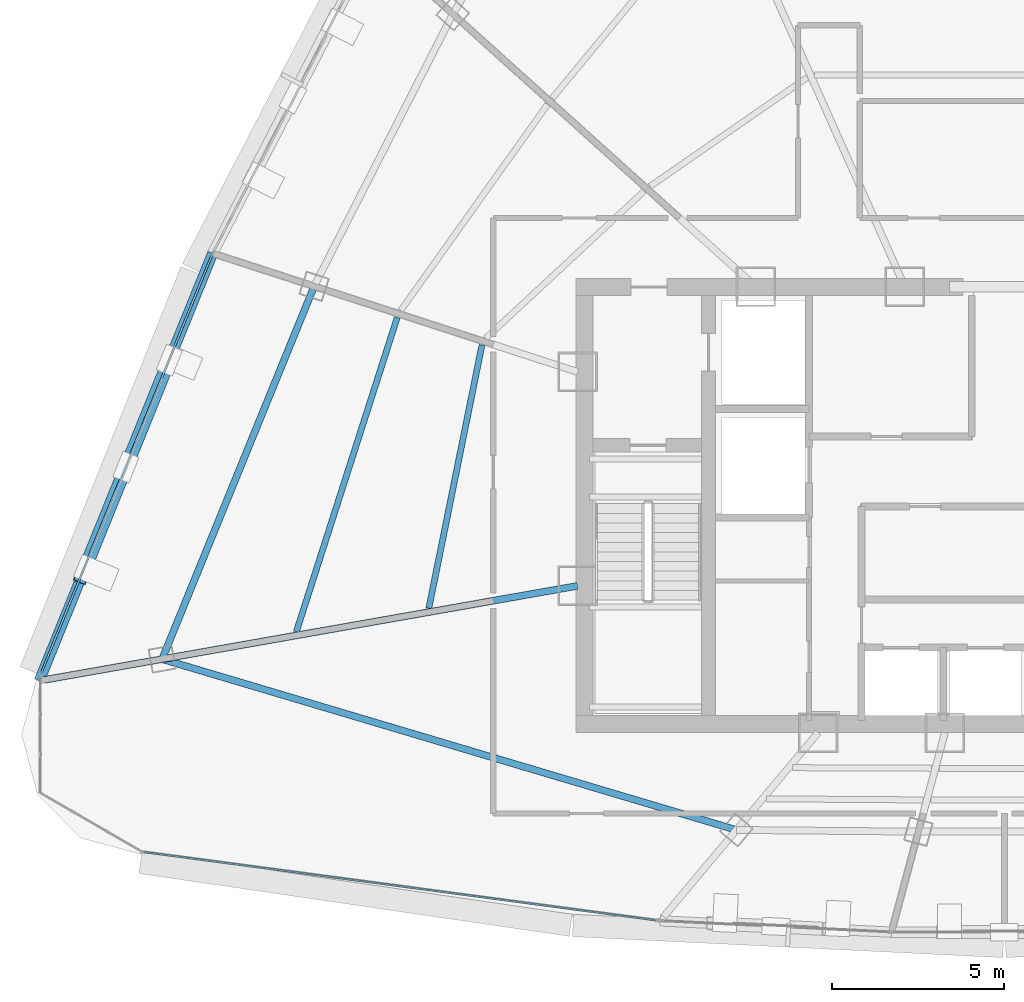
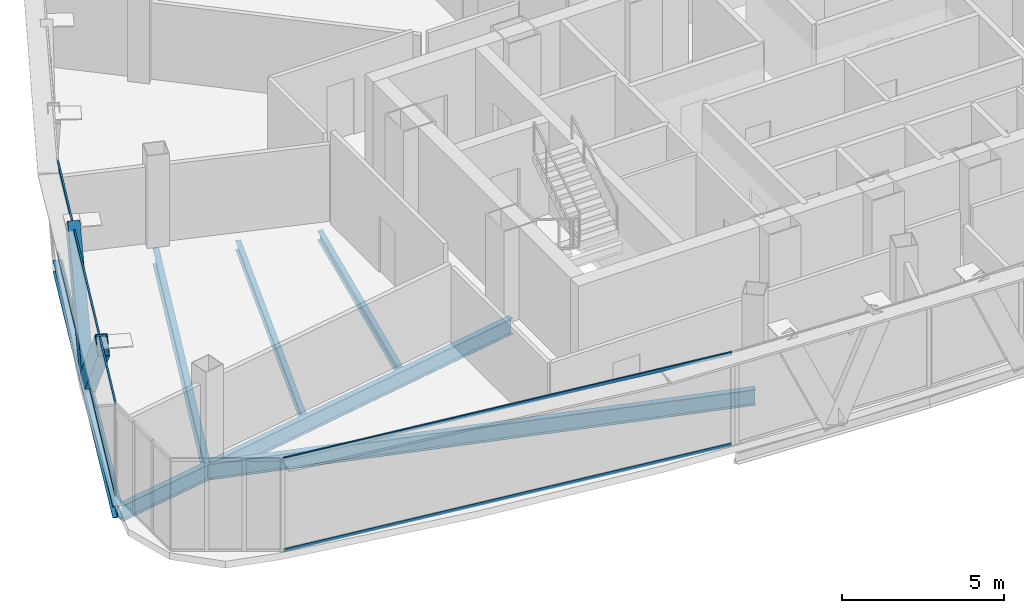
# One storey, part 3 of 27: 6 beams, 6 members, 2 elements without a shape of their own.
"""IFC4 building model written with IfcOpenShell, lengths in metres."""

from ifc_helpers import new_model, si_unit, direction, frame, origin, origin_2d, place, context, subcontext, project, spatial, hollow_rectangle, i_section, extrude, source, transform, mapped, material, layer, layer_set, material_profile, profile_set, type_object, element, aggregate, save


model = new_model("IFC4")

# Units and contexts
model_context = context("Model", 3, precision=1e-05, world=origin(), true_north=direction((0.0, 1.0)))
body_context = subcontext(model_context, "Body", "Model", "MODEL_VIEW")
ifc_project = project(units=[si_unit("LENGTHUNIT", "METRE"), si_unit("AREAUNIT", "SQUARE_METRE"), si_unit("VOLUMEUNIT", "CUBIC_METRE"), si_unit("PLANEANGLEUNIT", "RADIAN"), si_unit("MASSUNIT", "GRAM", prefix="KILO"), si_unit("THERMODYNAMICTEMPERATUREUNIT", "KELVIN"), si_unit("POWERUNIT", "WATT")], contexts=[model_context])

# Site, building, storey
site_placement = place(None, origin())
site = spatial("IfcSite", under=ifc_project, at=site_placement, CompositionType="ELEMENT")
building_placement = place(site_placement, origin())
building = spatial("IfcBuilding", under=site, at=building_placement, Name="Yunzhuo Pagoda Commons", CompositionType="ELEMENT")
storey_placement = place(building_placement, frame((0.0, 0.0, 344.260009765625)))
storey = spatial("IfcBuildingStorey", under=building, at=storey_placement, Name="L86", CompositionType="ELEMENT", Elevation=344.260009765625)

# Beams
ifc_material_1 = material(Name="Structural steel Q355B", Category="steel")
ifc_material_profile_1 = material_profile(ifc_material_1, i_section(OverallWidth=0.199951171875, OverallDepth=0.60009765625, WebThickness=0.010986328125, FlangeThickness=0.01708984375, at=origin_2d()), Name="Structural steel Q355B")
ifc_profile_set_1 = profile_set([ifc_material_profile_1], Name="Structural steel Q355B")
beam_type_1 = type_object("IfcBeamType", Name="B-RG3 Beam HN 600x200x11x17", PredefinedType="BEAM", material=ifc_profile_set_1)
shared_shape_1 = source(origin(), body_context, "Body", "SweptSolid", [
    extrude(i_section(OverallWidth=0.199951171875, OverallDepth=0.60009765625, WebThickness=0.010986328125, FlangeThickness=0.01708984375, at=origin_2d()), origin(), (0.0, 0.0, 1.0), 17.407470703125),
])
beam_1_placement = place(storey_placement, frame((23.52978515625, 29.38525390625, -0.56005859375), z_axis=(0.958484984609, -0.285143006717, 0.0), x_axis=(0.285143006717, 0.958484984609, 0.0)))
element("IfcBeam", 1, at=beam_1_placement, inside=storey, type_object=beam_type_1, Name="L86 column-ring beam 12", PredefinedType="BEAM", context=body_context, shape_type="MappedRepresentation", body=[
    mapped(shared_shape_1, transform((0.0, 0.0, 0.0), scale=1.0)),
])
shared_shape_2 = source(origin(), body_context, "Body", "SweptSolid", [
    extrude(i_section(OverallWidth=0.199951171875, OverallDepth=0.60009765625, WebThickness=0.010986328125, FlangeThickness=0.01708984375, at=origin_2d()), origin(), (0.0, 0.0, 1.0), 11.696533203125),
])
beam_2_placement = place(storey_placement, frame((27.946533203125, 40.2158203125, -0.56005859375), z_axis=(-0.377611800863, -0.925963999219, 0.0), x_axis=(0.925963999219, -0.377611800863, 0.0)))
element("IfcBeam", 2, at=beam_2_placement, inside=storey, type_object=beam_type_1, Name="L86 column-ring beam 11", PredefinedType="BEAM", context=body_context, shape_type="MappedRepresentation", body=[
    mapped(shared_shape_2, transform((0.0, 0.0, 0.0), scale=1.0)),
])
ifc_material_profile_2 = material_profile(ifc_material_1, i_section(OverallWidth=0.175048828125, OverallDepth=0.35009765625, WebThickness=0.007080078125, FlangeThickness=0.010986328125, at=origin_2d()), Name="Structural steel Q355B")
ifc_profile_set_2 = profile_set([ifc_material_profile_2], Name="Structural steel Q355B")
beam_type_2 = type_object("IfcBeamType", Name="B-JS2 Joist HN 350x175x7x11", PredefinedType="JOIST", material=ifc_profile_set_2)
shared_shape_3 = source(origin(), body_context, "Body", "SweptSolid", [
    extrude(i_section(OverallWidth=0.175048828125, OverallDepth=0.35009765625, WebThickness=0.007080078125, FlangeThickness=0.010986328125, at=origin_2d()), origin(), (0.0, 0.0, 1.0), 7.8056640625),
])
beam_3_placement = place(storey_placement, frame((32.822265625, 38.511474609375, -0.43505859375), z_axis=(-0.197890187791, -0.980224195568, 0.0), x_axis=(0.980224195568, -0.197890187791, 0.0)))
element("IfcBeam", 3, at=beam_3_placement, inside=storey, type_object=beam_type_2, Name="L86 composite ring joist 1.11", PredefinedType="JOIST", context=body_context, shape_type="MappedRepresentation", body=[
    mapped(shared_shape_3, transform((0.0, 0.0, 0.0), scale=1.0)),
])
shared_shape_4 = source(origin(), body_context, "Body", "SweptSolid", [
    extrude(i_section(OverallWidth=0.175048828125, OverallDepth=0.35009765625, WebThickness=0.007080078125, FlangeThickness=0.010986328125, at=origin_2d()), origin(), (0.0, 0.0, 1.0), 9.593994140625),
])
beam_4_placement = place(storey_placement, frame((30.360595703125, 39.310546875, -0.43505859375), z_axis=(-0.305719218499, -0.952121714614, 0.0), x_axis=(0.952121714614, -0.305719218499, 0.0)))
element("IfcBeam", 4, at=beam_4_placement, inside=storey, type_object=beam_type_2, Name="L86 composite ring joist 2.11", PredefinedType="JOIST", context=body_context, shape_type="MappedRepresentation", body=[
    mapped(shared_shape_4, transform((0.0, 0.0, 0.0), scale=1.0)),
])
shared_shape_5 = source(origin(), body_context, "Body", "SweptSolid", [
    extrude(i_section(OverallWidth=0.199951171875, OverallDepth=0.60009765625, WebThickness=0.010986328125, FlangeThickness=0.01708984375, at=origin_2d()), origin(), (0.0, 0.0, 1.0), 15.72412109375),
])
beam_5_placement = place(storey_placement, frame((20.11474609375, 28.783203125, -0.56005859375), z_axis=(0.984810587899, 0.173632099459, 0.0), x_axis=(-0.173632099459, 0.984810587899, 0.0)))
element("IfcBeam", 5, at=beam_5_placement, inside=storey, type_object=beam_type_1, Name="L86 radial floor girder F3C4", PredefinedType="BEAM", context=body_context, shape_type="MappedRepresentation", body=[
    mapped(shared_shape_5, transform((0.0, 0.0, 0.0), scale=1.0)),
])
ifc_material_profile_3 = material_profile(ifc_material_1, i_section(OverallWidth=0.300048828125, OverallDepth=0.43994140625, WebThickness=0.010986328125, FlangeThickness=0.01806640625, at=origin_2d()), Name="Structural steel Q355B")
ifc_profile_set_3 = profile_set([ifc_material_profile_3], Name="Structural steel Q355B")
beam_type_3 = type_object("IfcBeamType", Name="B-SP2 Beam HM 440x300x11x18", PredefinedType="BEAM", material=ifc_profile_set_3)
shared_shape_6 = source(origin(), body_context, "Body", "SweptSolid", [
    extrude(i_section(OverallWidth=0.300048828125, OverallDepth=0.43994140625, WebThickness=0.010986328125, FlangeThickness=0.01806640625, at=origin_2d()), origin(), (0.0, 0.0, 1.0), 13.399658203125),
])
beam_6_placement = place(storey_placement, frame((24.9970703125, 41.174072265625, -0.47998046875), z_axis=(-0.3757655854, -0.926714748361, 0.0), x_axis=(0.926714748361, -0.3757655854, 0.0)))
element("IfcBeam", 6, at=beam_6_placement, inside=storey, type_object=beam_type_3, Name="L86 facade edge spandrel beam F3.3", PredefinedType="BEAM", context=body_context, shape_type="MappedRepresentation", body=[
    mapped(shared_shape_6, transform((0.0, 0.0, 0.0), scale=1.0)),
])

# Members
ifc_material_profile_4 = material_profile(ifc_material_1, hollow_rectangle(XDim=0.3798828125, YDim=0.719970703125, WallThickness=0.02001953125, at=origin_2d()), Name="Structural steel Q355B")
ifc_profile_set_4 = profile_set([ifc_material_profile_4], Name="Structural steel Q355B")
member_type_1 = type_object("IfcMemberType", Name="M-DL3 Brace BOX 720x380x20", PredefinedType="BRACE", material=ifc_profile_set_4)
shared_shape_7 = source(origin(), body_context, "Body", "SweptSolid", [
    extrude(hollow_rectangle(XDim=0.3798828125, YDim=0.719970703125, WallThickness=0.02001953125, at=origin_2d()), origin(), (0.0, 0.0, 1.0), 5.0283203125),
])
for number, where, z_axis, x_axis, name in (
    (7, (22.4794921875, 34.965087890625, -0.260009765625), (0.250335334851, 0.617390247859, 0.745762362937), (-0.92671732093, 0.375759240855, 0.0), "L86 facade diamond brace F3.3L"),
    (8, (22.4794921875, 34.965087890625, -0.260009765625), (-0.250335334851, -0.617390247859, 0.745762362937), (0.92671732093, -0.375759240855, 0.0), "L86 facade diamond brace F3.3R"),
):
    element("IfcMember", number, at=place(storey_placement, frame(where, z_axis=z_axis, x_axis=x_axis)), inside=storey, type_object=member_type_1, Name=name, PredefinedType="BRACE", context=body_context, shape_type="MappedRepresentation", body=[
        mapped(shared_shape_7, transform((0.0, 0.0, 0.0), scale=1.0)),
    ])

# Curtain wall, members
ifc_material_2 = material(Name="Anodized aluminium 6063-T6", Category="aluminium")
ifc_layer = layer(ifc_material_2, 0.139892578125)
ifc_layer_set = layer_set([ifc_layer], Name="Anodized aluminium 6063-T6")
curtain_wall_type = type_object("IfcCurtainWallType", Name="CW-HI High-Zone Ribbon Curtain Wall", PredefinedType="NOTDEFINED", material=ifc_layer_set)
curtain_wall_1_placement = place(storey_placement, origin())
curtain_wall_1 = element("IfcCurtainWall", 9, at=curtain_wall_1_placement, inside=storey, type_object=curtain_wall_type, Name="L86 curtain wall CW-L86-F1B1", PredefinedType="NOTDEFINED")
ifc_material_profile_5 = material_profile(ifc_material_2, hollow_rectangle(XDim=0.054931640625, YDim=0.1201171875, WallThickness=0.00341796875, at=origin_2d()), Name="Anodized aluminium 6063-T6")
ifc_profile_set_5 = profile_set([ifc_material_profile_5], Name="Anodized aluminium 6063-T6")
member_type_2 = type_object("IfcMemberType", Name="CW-HI-T Transom RHS 120x55x3.5", PredefinedType="USERDEFINED", material=ifc_profile_set_5)
shared_shape_8 = source(origin(), body_context, "Body", "SweptSolid", [
    extrude(hollow_rectangle(XDim=0.054931640625, YDim=0.1201171875, WallThickness=0.00341796875, at=origin_2d()), origin(), (0.0, 0.0, 1.0), 14.9833984375),
])
member_1_placement = place(storey_placement, frame((23.01318359375, 23.778076171875, 0.027587890625), z_axis=(0.9912411303, -0.132064460024, 0.0), x_axis=(0.132064460024, 0.9912411303, 0.0)))
member_1 = element("IfcMember", 10, at=member_1_placement, type_object=member_type_2, Name="CW transom 1.1", ObjectType="TRANSOM", PredefinedType="USERDEFINED", context=body_context, shape_type="MappedRepresentation", body=[
    mapped(shared_shape_8, transform((0.0, 0.0, 0.0), scale=1.0)),
])
member_2_placement = place(storey_placement, frame((23.01318359375, 23.778076171875, 3.46240234375), z_axis=(0.9912411303, -0.132064460024, 0.0), x_axis=(0.132064460024, 0.9912411303, 0.0)))
member_2 = element("IfcMember", 11, at=member_2_placement, type_object=member_type_2, Name="CW transom 1.2", ObjectType="TRANSOM", PredefinedType="USERDEFINED", context=body_context, shape_type="MappedRepresentation", body=[
    mapped(shared_shape_8, transform((0.0, 0.0, 0.0), scale=1.0)),
])
aggregate(curtain_wall_1, [member_1, member_2])

curtain_wall_2_placement = place(storey_placement, origin())
curtain_wall_2 = element("IfcCurtainWall", 12, at=curtain_wall_2_placement, inside=storey, type_object=curtain_wall_type, Name="L86 curtain wall CW-L86-F3B4", PredefinedType="NOTDEFINED")
shared_shape_9 = source(origin(), body_context, "Body", "SweptSolid", [
    extrude(hollow_rectangle(XDim=0.054931640625, YDim=0.1201171875, WallThickness=0.00341796875, at=origin_2d()), origin(), (0.0, 0.0, 1.0), 13.100830078125),
])
member_3_placement = place(storey_placement, frame((24.974365234375, 41.11865234375, 0.027587890625), z_axis=(-0.378185817001, -0.925729705594, 0.0), x_axis=(0.925729705594, -0.378185817001, 0.0)))
member_3 = element("IfcMember", 13, at=member_3_placement, type_object=member_type_2, Name="CW transom 1.1", ObjectType="TRANSOM", PredefinedType="USERDEFINED", context=body_context, shape_type="MappedRepresentation", body=[
    mapped(shared_shape_9, transform((0.0, 0.0, 0.0), scale=1.0)),
])
member_4_placement = place(storey_placement, frame((24.974365234375, 41.11865234375, 3.46240234375), z_axis=(-0.378185817001, -0.925729705594, 0.0), x_axis=(0.925729705594, -0.378185817001, 0.0)))
member_4 = element("IfcMember", 14, at=member_4_placement, type_object=member_type_2, Name="CW transom 1.2", ObjectType="TRANSOM", PredefinedType="USERDEFINED", context=body_context, shape_type="MappedRepresentation", body=[
    mapped(shared_shape_9, transform((0.0, 0.0, 0.0), scale=1.0)),
])
aggregate(curtain_wall_2, [member_3, member_4])

save(model, "model.ifc")
